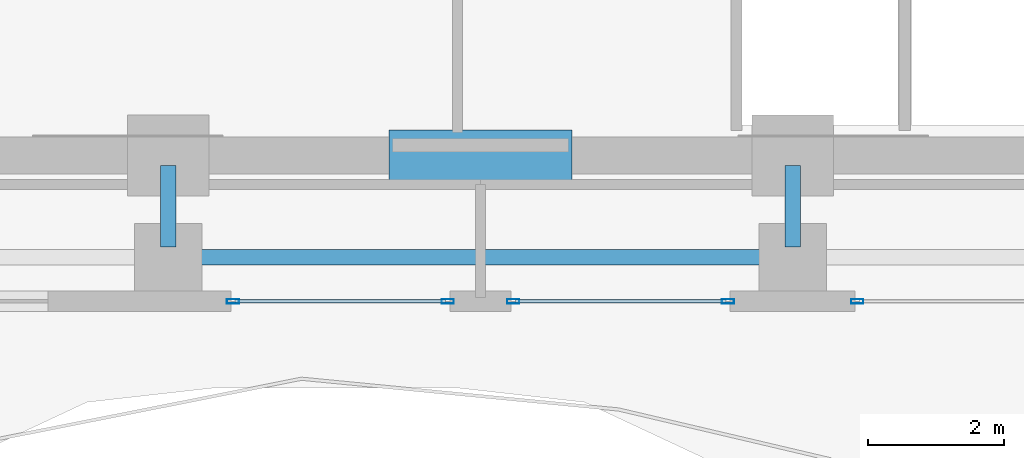
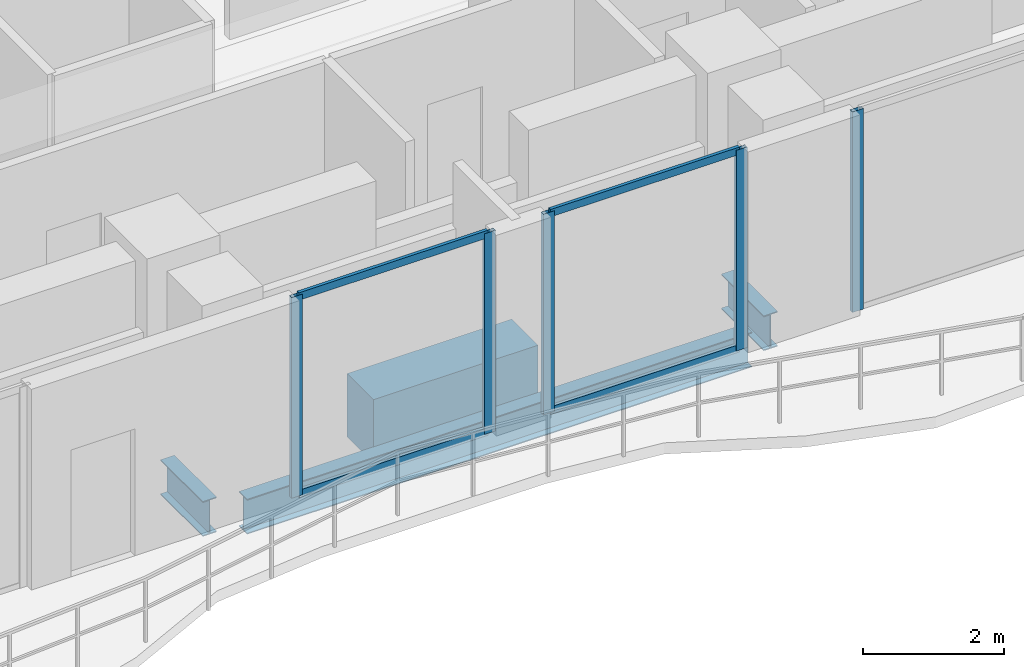
# One storey, part 4 of 25: 9 members, 4 beams, 3 elements without a shape of their own.
"""IFC4 building model written with IfcOpenShell, lengths in metres."""

from ifc_helpers import new_model, si_unit, direction, frame, origin, origin_2d, place, context, subcontext, project, spatial, rectangle, hollow_rectangle, i_section, extrude, material, layer, layer_set, material_profile, profile_set, type_object, element, aggregate, save


model = new_model("IFC4")

# Units and contexts
model_context = context("Model", 3, precision=1e-05, world=origin(), true_north=direction((0.0, 1.0)))
body_context = subcontext(model_context, "Body", "Model", "MODEL_VIEW")
ifc_project = project(units=[si_unit("LENGTHUNIT", "METRE"), si_unit("AREAUNIT", "SQUARE_METRE"), si_unit("VOLUMEUNIT", "CUBIC_METRE"), si_unit("PLANEANGLEUNIT", "RADIAN"), si_unit("MASSUNIT", "GRAM", prefix="KILO")], contexts=[model_context])

# Site, building, storey
site_placement = place(None, origin())
site = spatial("IfcSite", under=ifc_project, at=site_placement, CompositionType="ELEMENT")
building_placement = place(site_placement, origin())
building = spatial("IfcBuilding", under=site, at=building_placement, Name="Zuhayl Quay Hotel", CompositionType="ELEMENT")
storey_placement = place(building_placement, frame((0.0, 0.0, 258.14990234375)))
storey = spatial("IfcBuildingStorey", under=building, at=storey_placement, Name="L65", CompositionType="ELEMENT", Elevation=258.14990234375)

# Beams
ifc_material_1 = material(Name="Steel ASTM A992 Grade 50", Category="steel")
ifc_material_profile_1 = material_profile(ifc_material_1, i_section(OverallWidth=0.22802734375, OverallDepth=0.60693359375, WebThickness=0.01123046875, FlangeThickness=0.017333984375, at=origin_2d()), Name="W24X76")
ifc_profile_set_1 = profile_set([ifc_material_profile_1], Name="Steel ASTM A992 Grade 50")
beam_type_1 = type_object("IfcBeamType", Name="BM_B3_W24X76", PredefinedType="BEAM", material=ifc_profile_set_1)
beam_1_placement = place(storey_placement, frame((-4.139892578125, 0.64990234375, -0.5234375), z_axis=(1.0, 0.0, 0.0), x_axis=(0.0, 1.0, 0.0)))
element("IfcBeam", 1, at=beam_1_placement, inside=storey, type_object=beam_type_1, Name="L65 Floor Beam RG_L65_02", PredefinedType="BEAM", context=body_context, shape_type="SweptSolid", body=[
    extrude(i_section(OverallWidth=0.22802734375, OverallDepth=0.60693359375, WebThickness=0.01123046875, FlangeThickness=0.017333984375, at=origin_2d()), origin(), (0.0, 0.0, 1.0), 8.27978515625),
])
for number, where, z_axis, x_axis, name in (
    (2, (-4.60009765625, 0.800048828125, -0.5234375), (0.0, 1.0, 0.0), (-1.0, 0.0, 0.0), "L65 Floor Beam FG_S_L65_2"),
    (3, (4.60009765625, 0.800048828125, -0.5234375), (0.0, 1.0, 0.0), (-1.0, 0.0, 0.0), "L65 Floor Beam FG_S_L65_3"),
):
    element("IfcBeam", number, at=place(storey_placement, frame(where, z_axis=z_axis, x_axis=x_axis)), inside=storey, type_object=beam_type_1, Name=name, PredefinedType="BEAM", context=body_context, shape_type="SweptSolid", body=[
        extrude(i_section(OverallWidth=0.22802734375, OverallDepth=0.60693359375, WebThickness=0.01123046875, FlangeThickness=0.017333984375, at=origin_2d()), origin(), (0.0, 0.0, 1.0), 1.199951171875),
    ])
ifc_material_2 = material(Name="Concrete C60/75", Category="concrete")
ifc_material_profile_2 = material_profile(ifc_material_2, rectangle(XDim=0.75, YDim=1.10009765625, at=origin_2d()), Name="RC750X1100")
ifc_profile_set_2 = profile_set([ifc_material_profile_2], Name="Concrete C60/75")
beam_type_2 = type_object("IfcBeamType", Name="BM_CB2_RC750", PredefinedType="T_BEAM", material=ifc_profile_set_2)
beam_2_placement = place(storey_placement, frame((-1.35009765625, 2.14990234375, -0.77001953125), z_axis=(1.0, 0.0, 0.0), x_axis=(0.0, 1.0, 0.0)))
element("IfcBeam", 4, at=beam_2_placement, inside=storey, type_object=beam_type_2, Name="L65 Core Coupling Beam South", PredefinedType="T_BEAM", context=body_context, shape_type="SweptSolid", body=[
    extrude(rectangle(XDim=0.75, YDim=1.10009765625, at=origin_2d()), origin(), (0.0, 0.0, 1.0), 2.7001953125),
])

# Curtain wall, member
ifc_material_3 = material(Name="Anodised Aluminium 6063-T6", Category="aluminium")
ifc_layer = layer(ifc_material_3, 0.169921875, Name="Anodised Aluminium 6063-T6", Category="aluminium")
ifc_layer_set = layer_set([ifc_layer], Name="Anodised Aluminium 6063-T6")
curtain_wall_type = type_object("IfcCurtainWallType", Name="CW_SYS_Z4", PredefinedType="USERDEFINED", material=ifc_layer_set)
curtain_wall_1_placement = place(storey_placement, origin())
curtain_wall_1 = element("IfcCurtainWall", 5, at=curtain_wall_1_placement, inside=storey, type_object=curtain_wall_type, Name="L65 Curtain Wall ENV_L65_S_CW1", ObjectType="UNITISED CURTAIN WALL", PredefinedType="USERDEFINED")
ifc_material_4 = material(Name="Black-anodised aluminium 6063-T6", Category="aluminium")
ifc_material_profile_3 = material_profile(ifc_material_4, hollow_rectangle(XDim=0.06494140625, YDim=0.179931640625, WallThickness=0.00341796875, at=origin_2d()), Name="ALU180X65")
ifc_profile_set_3 = profile_set([ifc_material_profile_3], Name="Black-anodised aluminium 6063-T6")
member_type_1 = type_object("IfcMemberType", Name="MB_CW_MUL_180", PredefinedType="MULLION", material=ifc_profile_set_3)
member_1_placement = place(storey_placement, frame((5.552490234375, 0.0, 0.0), z_axis=(0.0, 0.0, 1.0), x_axis=(0.0, -1.0, 0.0)))
member_1 = element("IfcMember", 6, at=member_1_placement, type_object=member_type_1, Name="CW-Z4 mullion 2", PredefinedType="MULLION", context=body_context, shape_type="SweptSolid", body=[
    extrude(hollow_rectangle(XDim=0.06494140625, YDim=0.179931640625, WallThickness=0.00341796875, at=origin_2d()), origin(), (0.0, 0.0, 1.0), 3.47998046875),
])
aggregate(curtain_wall_1, [member_1])

# Curtain wall, members
curtain_wall_2_placement = place(storey_placement, origin())
curtain_wall_2 = element("IfcCurtainWall", 7, at=curtain_wall_2_placement, inside=storey, type_object=curtain_wall_type, Name="L65 Curtain Wall ENV_L65_S_CW2", ObjectType="UNITISED CURTAIN WALL", PredefinedType="USERDEFINED")
member_2_placement = place(storey_placement, frame((3.6474609375, 0.0, 0.0), z_axis=(0.0, 0.0, 1.0), x_axis=(0.0, -1.0, 0.0)))
member_2 = element("IfcMember", 8, at=member_2_placement, type_object=member_type_1, Name="CW-Z4 mullion 1", PredefinedType="MULLION", context=body_context, shape_type="SweptSolid", body=[
    extrude(hollow_rectangle(XDim=0.06494140625, YDim=0.179931640625, WallThickness=0.00341796875, at=origin_2d()), origin(), (0.0, 0.0, 1.0), 3.47998046875),
])
member_3_placement = place(storey_placement, frame((0.482421875, 0.0, 0.0), z_axis=(0.0, 0.0, 1.0), x_axis=(0.0, -1.0, 0.0)))
member_3 = element("IfcMember", 9, at=member_3_placement, type_object=member_type_1, Name="CW-Z4 mullion 2", PredefinedType="MULLION", context=body_context, shape_type="SweptSolid", body=[
    extrude(hollow_rectangle(XDim=0.06494140625, YDim=0.179931640625, WallThickness=0.00341796875, at=origin_2d()), origin(), (0.0, 0.0, 1.0), 3.47998046875),
])

curtain_wall_3_placement = place(storey_placement, origin())
curtain_wall_3 = element("IfcCurtainWall", 10, at=curtain_wall_3_placement, inside=storey, type_object=curtain_wall_type, Name="L65 Curtain Wall ENV_L65_S_CW3", ObjectType="UNITISED CURTAIN WALL", PredefinedType="USERDEFINED")
member_4_placement = place(storey_placement, frame((-0.482421875, 0.0, 0.0), z_axis=(0.0, 0.0, 1.0), x_axis=(0.0, -1.0, 0.0)))
member_4 = element("IfcMember", 11, at=member_4_placement, type_object=member_type_1, Name="CW-Z4 mullion 1", PredefinedType="MULLION", context=body_context, shape_type="SweptSolid", body=[
    extrude(hollow_rectangle(XDim=0.06494140625, YDim=0.179931640625, WallThickness=0.00341796875, at=origin_2d()), origin(), (0.0, 0.0, 1.0), 3.47998046875),
])
member_5_placement = place(storey_placement, frame((-3.6474609375, 0.0, 0.0), z_axis=(0.0, 0.0, 1.0), x_axis=(0.0, -1.0, 0.0)))
member_5 = element("IfcMember", 12, at=member_5_placement, type_object=member_type_1, Name="CW-Z4 mullion 2", PredefinedType="MULLION", context=body_context, shape_type="SweptSolid", body=[
    extrude(hollow_rectangle(XDim=0.06494140625, YDim=0.179931640625, WallThickness=0.00341796875, at=origin_2d()), origin(), (0.0, 0.0, 1.0), 3.47998046875),
])

# Member
ifc_material_profile_4 = material_profile(ifc_material_4, hollow_rectangle(XDim=0.054931640625, YDim=0.1298828125, WallThickness=0.0029296875, at=origin_2d()), Name="ALU130X55")
ifc_profile_set_4 = profile_set([ifc_material_profile_4], Name="Black-anodised aluminium 6063-T6")
member_type_2 = type_object("IfcMemberType", Name="MB_CW_TRN_130", PredefinedType="USERDEFINED", material=ifc_profile_set_4)
member_6_placement = place(storey_placement, frame((3.614990234375, 0.0, 0.027587890625), z_axis=(-1.0, 0.0, 0.0), x_axis=(0.0, -1.0, 0.0)))
member_6 = element("IfcMember", 13, at=member_6_placement, type_object=member_type_2, Name="CW-Z4 transom 1.1", ObjectType="TRANSOM", PredefinedType="USERDEFINED", context=body_context, shape_type="SweptSolid", body=[
    extrude(hollow_rectangle(XDim=0.054931640625, YDim=0.1298828125, WallThickness=0.0029296875, at=origin_2d()), origin(), (0.0, 0.0, 1.0), 3.10009765625),
])

member_7_placement = place(storey_placement, frame((3.614990234375, 0.0, 3.45263671875), z_axis=(-1.0, 0.0, 0.0), x_axis=(0.0, -1.0, 0.0)))
member_7 = element("IfcMember", 14, at=member_7_placement, type_object=member_type_2, Name="CW-Z4 transom 1.2", ObjectType="TRANSOM", PredefinedType="USERDEFINED", context=body_context, shape_type="SweptSolid", body=[
    extrude(hollow_rectangle(XDim=0.054931640625, YDim=0.1298828125, WallThickness=0.0029296875, at=origin_2d()), origin(), (0.0, 0.0, 1.0), 3.10009765625),
])

aggregate(curtain_wall_2, [member_2, member_3, member_6, member_7])

member_8_placement = place(storey_placement, frame((-0.514892578125, 0.0, 0.027587890625), z_axis=(-1.0, 0.0, 0.0), x_axis=(0.0, -1.0, 0.0)))
member_8 = element("IfcMember", 15, at=member_8_placement, type_object=member_type_2, Name="CW-Z4 transom 1.1", ObjectType="TRANSOM", PredefinedType="USERDEFINED", context=body_context, shape_type="SweptSolid", body=[
    extrude(hollow_rectangle(XDim=0.054931640625, YDim=0.1298828125, WallThickness=0.0029296875, at=origin_2d()), origin(), (0.0, 0.0, 1.0), 3.10009765625),
])

member_9_placement = place(storey_placement, frame((-0.514892578125, 0.0, 3.45263671875), z_axis=(-1.0, 0.0, 0.0), x_axis=(0.0, -1.0, 0.0)))
member_9 = element("IfcMember", 16, at=member_9_placement, type_object=member_type_2, Name="CW-Z4 transom 1.2", ObjectType="TRANSOM", PredefinedType="USERDEFINED", context=body_context, shape_type="SweptSolid", body=[
    extrude(hollow_rectangle(XDim=0.054931640625, YDim=0.1298828125, WallThickness=0.0029296875, at=origin_2d()), origin(), (0.0, 0.0, 1.0), 3.10009765625),
])

aggregate(curtain_wall_3, [member_4, member_5, member_8, member_9])

save(model, "model.ifc")
